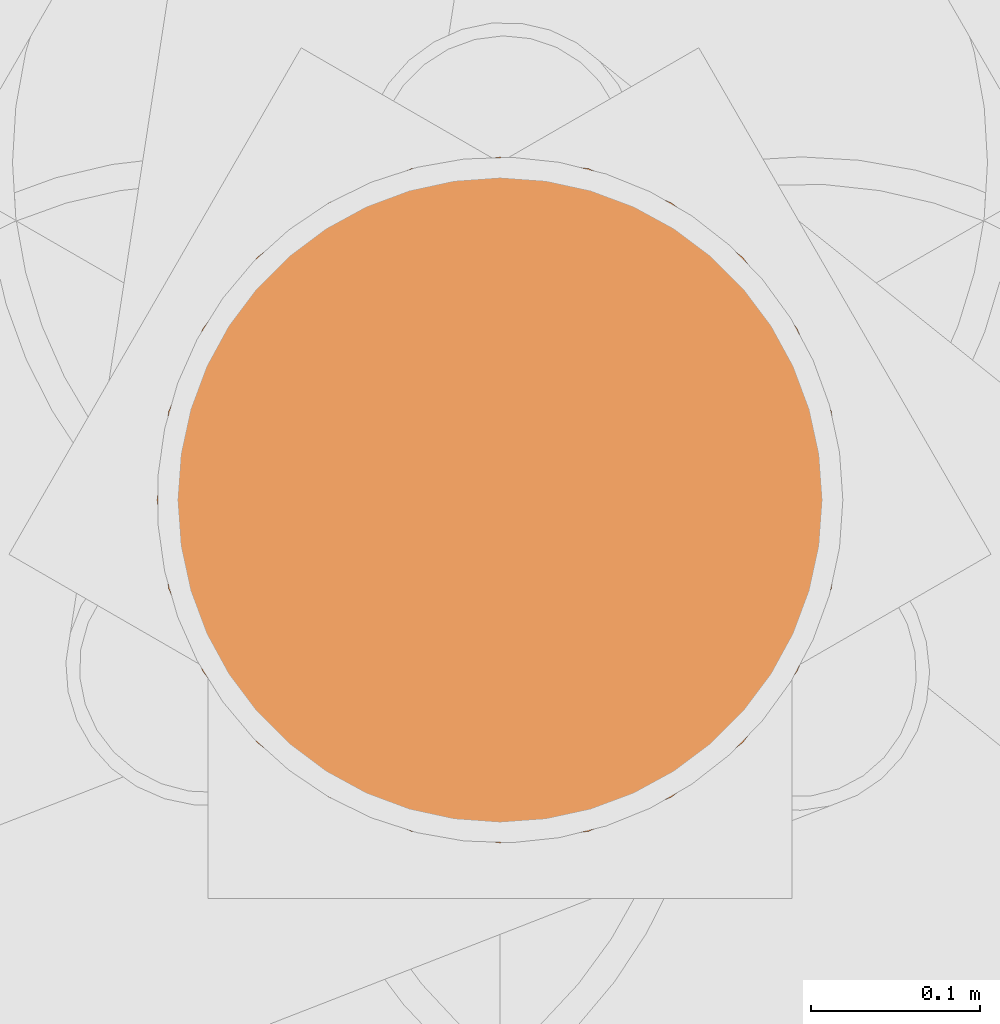
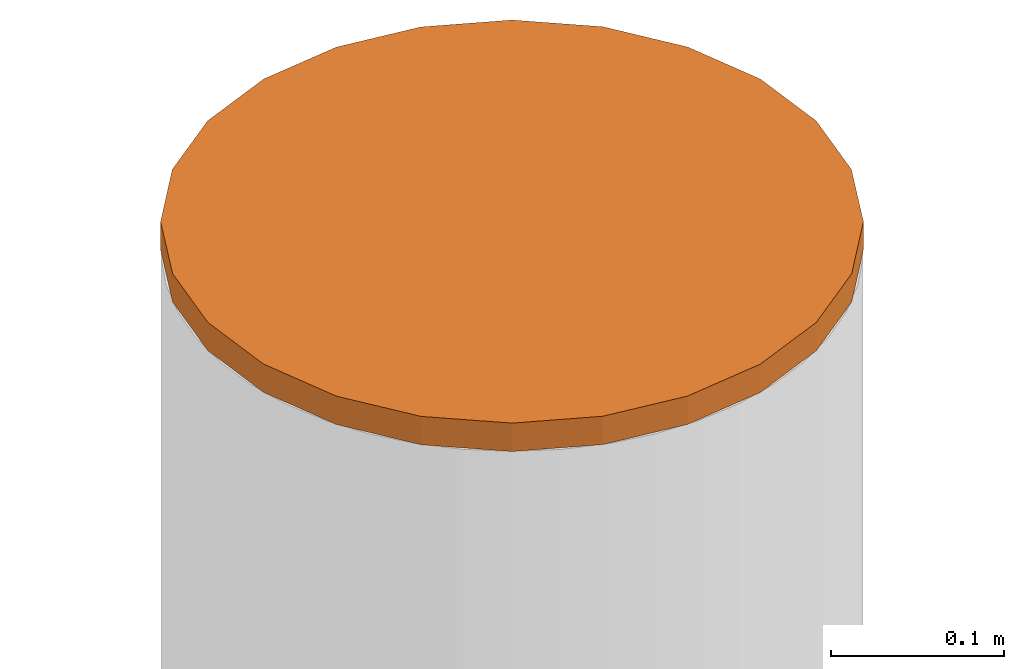
# One storey, part 10 of 10: 1 proxy.
"""IFC4 building model written with IfcOpenShell, lengths in metres."""

from ifc_helpers import new_model, si_unit, direction, frame, origin, place, context, subcontext, project, spatial, polyline, outline, extrude, material, layer, layer_set, type_object, element, save


model = new_model("IFC4")

# Units and contexts
model_context = context("Model", 3, precision=1e-05, world=origin(), true_north=direction((0.0, 1.0)))
body_context = subcontext(model_context, "Body", "Model", "MODEL_VIEW")
ifc_project = project(units=[si_unit("LENGTHUNIT", "METRE"), si_unit("AREAUNIT", "SQUARE_METRE"), si_unit("VOLUMEUNIT", "CUBIC_METRE"), si_unit("PLANEANGLEUNIT", "RADIAN"), si_unit("MASSUNIT", "GRAM", prefix="KILO")], contexts=[model_context])

# Site, building, storey
site_placement = place(None, origin())
site = spatial("IfcSite", under=ifc_project, at=site_placement, CompositionType="ELEMENT")
building_placement = place(site_placement, origin())
building = spatial("IfcBuilding", under=site, at=building_placement, Name="Impinga Residences", CompositionType="ELEMENT")
storey_placement = place(building_placement, frame((0.0, 0.0, 301.75)))
storey = spatial("IfcBuildingStorey", under=building, at=storey_placement, Name="L75", CompositionType="ELEMENT", Elevation=301.75)

# Proxy
ifc_material = material(Name="Steel S355J2H", Category="steel")
ifc_layer = layer(ifc_material, 0.02001953125)
ifc_layer_set = layer_set([ifc_layer], Name="Steel S355J2H")
building_element_proxy_type = type_object("IfcBuildingElementProxyType", Name="SCP spire finial cap plate D406.4x20", PredefinedType="USERDEFINED", material=ifc_layer_set)
proxy_placement = place(storey_placement, frame((0.0, 0.0, 66.22998046875)))
element("IfcBuildingElementProxy", 1, at=proxy_placement, inside=storey, type_object=building_element_proxy_type, Name="SPIRE finial cap plate", ObjectType="CAP_PLATE", PredefinedType="USERDEFINED", context=body_context, shape_type="SweptSolid", body=[
    extrude(outline(polyline([(0.203125, 0.0), (0.1962890625, 0.052490234375), (0.176025390625, 0.1015625), (0.143798828125, 0.143798828125), (0.1015625, 0.176025390625), (0.052490234375, 0.1962890625), (0.0, 0.203125), (-0.052490234375, 0.1962890625), (-0.1015625, 0.176025390625), (-0.143798828125, 0.143798828125), (-0.176025390625, 0.1015625), (-0.1962890625, 0.052490234375), (-0.203125, 0.0), (-0.1962890625, -0.052490234375), (-0.176025390625, -0.1015625), (-0.143798828125, -0.143798828125), (-0.1015625, -0.176025390625), (-0.052490234375, -0.1962890625), (0.0, -0.203125), (0.052490234375, -0.1962890625), (0.1015625, -0.176025390625), (0.143798828125, -0.143798828125), (0.176025390625, -0.1015625), (0.1962890625, -0.052490234375), (0.203125, 0.0)])), origin(), (0.0, 0.0, 1.0), 0.02001953125),
])

save(model, "model.ifc")
